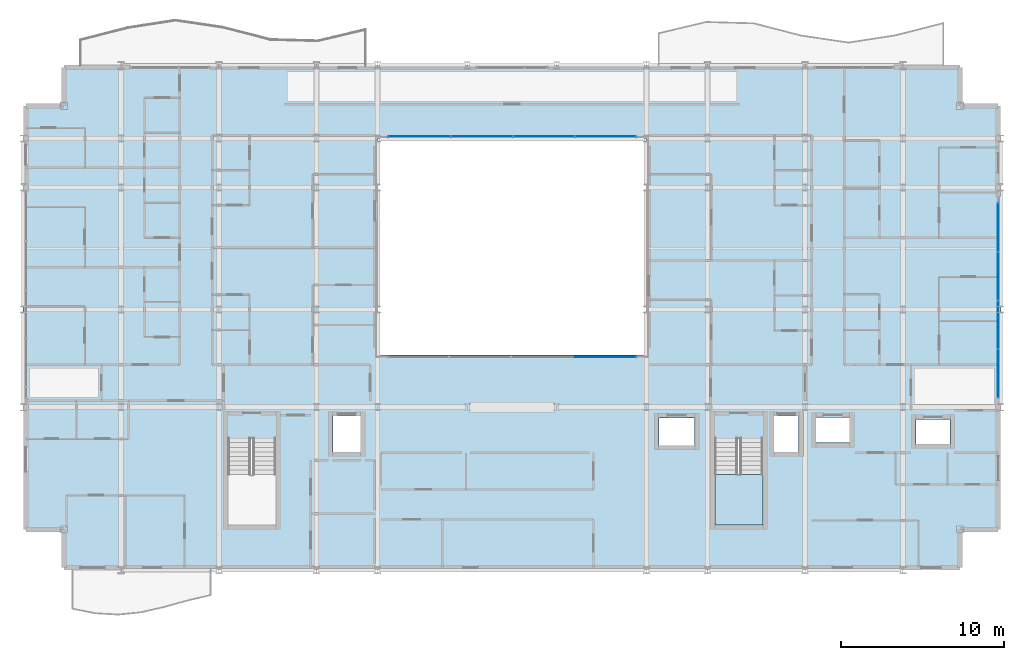
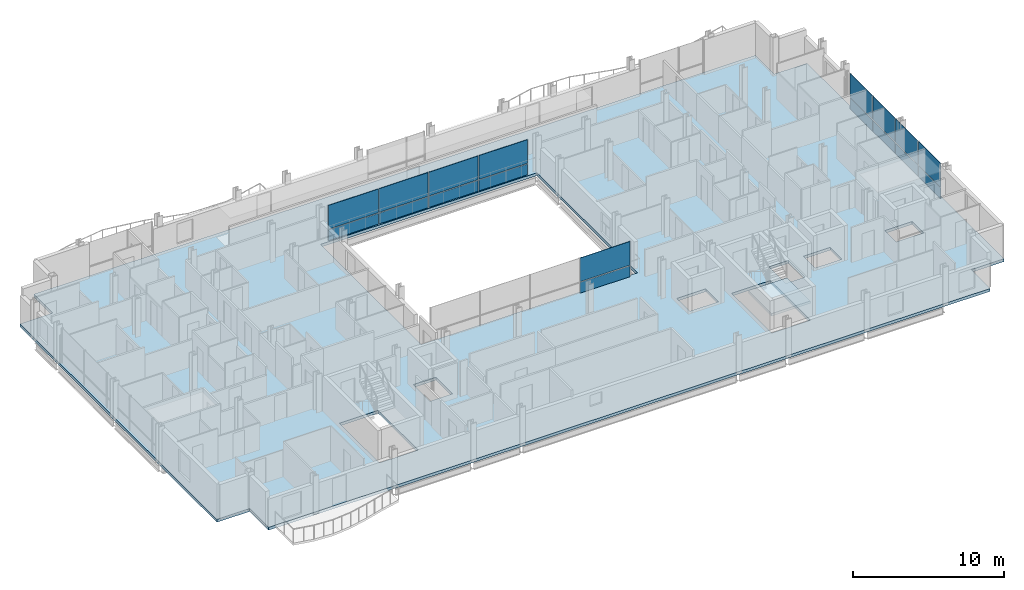
# One storey, part 27 of 41: 18 plates, 2 slabs, 4 elements without a shape of their own.
"""IFC4 building model written with IfcOpenShell, lengths in metres."""

import ifcopenshell
import ifcopenshell.guid

model = None  # the IFC model being written
_history = None  # IfcOwnerHistory: only IFC2X3 demands one
_inside = {}  # id of a spatial element -> (the spatial element, [elements in it])
_under = {}  # id of a project, library or spatial element -> (it, [spatial elements below it])
_declared = {}  # id of a project -> (the project, [libraries it declares])
_typed = {}  # id of a type object -> (the type object, [elements of that type])
_made_of = {}  # id of a material, layer set ... -> (it, [elements and type objects made of it])


def new_model(schema):
    """Start an empty IFC model of exactly this schema.

    Asked for "IFC4X3", IfcOpenShell would pick the latest addendum, in which some entities
    have other attributes; the version numbers below select the first issue.
    IFC2X3 requires an IfcOwnerHistory on every rooted entity: one is made here for all.
    """
    global model, _history
    if schema == "IFC4X3":
        model = ifcopenshell.file(schema_version=(4, 3, 0, 0))
    else:
        model = ifcopenshell.file(schema=schema)
    _inside.clear()
    _under.clear()
    _declared.clear()
    _typed.clear()
    _made_of.clear()
    _history = None
    if model.schema == "IFC2X3":
        org = make("IfcOrganization", Name="unknown")
        user = make(
            "IfcPersonAndOrganization",
            ThePerson=make("IfcPerson", FamilyName="unknown"),
            TheOrganization=org,
        )
        app = make(
            "IfcApplication",
            ApplicationDeveloper=org,
            Version="unknown",
            ApplicationFullName="unknown",
            ApplicationIdentifier="unknown",
        )
        _history = make(
            "IfcOwnerHistory",
            OwningUser=user,
            OwningApplication=app,
            ChangeAction="ADDED",
            CreationDate=0,
        )
    return model


def make(cls, **values):
    """One entity of the class cls with the attributes given. An attribute that is None is left unset."""
    return model.create_entity(
        cls, **{name: value for name, value in values.items() if value is not None}
    )


def rooted(cls, **values):
    """An entity with a GlobalId (a new one), such as an element, a storey or a relation."""
    return make(cls, GlobalId=ifcopenshell.guid.new(), OwnerHistory=_history, **values)


def si_unit(unit_type, name, prefix=None):
    """IfcSIUnit, for example si_unit("LENGTHUNIT", "METRE", prefix="MILLI")."""
    return make("IfcSIUnit", UnitType=unit_type, Prefix=prefix, Name=name)


def assignment(units):
    """IfcUnitAssignment: the units of a project."""
    return None if units is None else make("IfcUnitAssignment", Units=units)


def point(xyz):
    """IfcCartesianPoint."""
    return None if xyz is None else make("IfcCartesianPoint", Coordinates=xyz)


def direction(xyz):
    """IfcDirection."""
    return None if xyz is None else make("IfcDirection", DirectionRatios=xyz)


def frame(location, z_axis=None, x_axis=None):
    """IfcAxis2Placement3D, a coordinate frame: its origin and axes. An axis left out is left unset."""
    return make(
        "IfcAxis2Placement3D",
        Location=point(location),
        Axis=direction(z_axis),
        RefDirection=direction(x_axis),
    )


def frame_2d(location, x_axis=None):
    """IfcAxis2Placement2D, a coordinate frame in the plane: its origin and x axis."""
    return make(
        "IfcAxis2Placement2D", Location=point(location), RefDirection=direction(x_axis)
    )


def origin():
    """The frame at (0, 0, 0) with its axes left unset."""
    return frame((0.0, 0.0, 0.0))


def origin_2d():
    """The frame at (0, 0) in the plane with its x axis left unset."""
    return frame_2d((0.0, 0.0))


def place(relative_to, where):
    """IfcLocalPlacement: puts the frame where relative to a parent placement (None: the world)."""
    return make(
        "IfcLocalPlacement", PlacementRelTo=relative_to, RelativePlacement=where
    )


def context(
    kind, dimensions, precision=None, world=None, true_north=None, identifier=None
):
    """IfcGeometricRepresentationContext, for example the 3D "Model" context."""
    return make(
        "IfcGeometricRepresentationContext",
        ContextIdentifier=identifier,
        ContextType=kind,
        CoordinateSpaceDimension=dimensions,
        Precision=precision,
        WorldCoordinateSystem=world,
        TrueNorth=true_north,
    )


def subcontext(parent, identifier, kind, view, scale=None):
    """IfcGeometricRepresentationSubContext, for example "Body" below "Model"."""
    return make(
        "IfcGeometricRepresentationSubContext",
        ContextIdentifier=identifier,
        ContextType=kind,
        ParentContext=parent,
        TargetScale=scale,
        TargetView=view,
    )


def project(units=None, contexts=None):
    """IfcProject with its units and contexts."""
    return rooted(
        "IfcProject",
        Name="project",
        RepresentationContexts=contexts,
        UnitsInContext=assignment(units),
    )


def spatial(cls, under=None, at=None, **own):
    """A site, building, storey or space (cls), placed at a placement, below another one or the project."""
    s = rooted(cls, ObjectPlacement=at, **own)
    if under is not None:
        _under.setdefault(under.id(), (under, []))[1].append(s)
    return s


def polyline(points):
    """IfcPolyline through the points."""
    return make("IfcPolyline", Points=[point(p) for p in points])


def profile(cls, at=None, kind="AREA", **sizes):
    """A parametric profile (cls). Its sizes go by their IFC names, for example OverallWidth=200.0."""
    return make(cls, ProfileType=kind, Position=at, **sizes)


def rectangle(**sizes):
    """IfcRectangleProfileDef."""
    return profile("IfcRectangleProfileDef", **sizes)


def outline(outer, holes=None, kind="AREA"):
    """IfcArbitraryClosedProfileDef: a profile drawn as a closed curve; with holes, ...WithVoids."""
    if holes is None:
        return make("IfcArbitraryClosedProfileDef", ProfileType=kind, OuterCurve=outer)
    return make(
        "IfcArbitraryProfileDefWithVoids",
        ProfileType=kind,
        OuterCurve=outer,
        InnerCurves=holes,
    )


def extrude(swept, where, along, depth):
    """IfcExtrudedAreaSolid: the profile swept, set in the frame where, extruded along a direction by depth."""
    return make(
        "IfcExtrudedAreaSolid",
        SweptArea=swept,
        Position=where,
        ExtrudedDirection=direction(along),
        Depth=depth,
    )


def shape(context_of_items, identifier, shape_type, items):
    """IfcShapeRepresentation: the items that make up one representation, for example the "Body"."""
    return make(
        "IfcShapeRepresentation",
        ContextOfItems=context_of_items,
        RepresentationIdentifier=identifier,
        RepresentationType=shape_type,
        Items=items,
    )


def material(Name=None, Category=None):
    """IfcMaterial."""
    return make("IfcMaterial", Name=Name, Category=Category)


def layer(
    of_material, thickness, ventilated=None, Name=None, Category=None, Priority=None
):
    """IfcMaterialLayer: one layer of a wall or slab, of a material (None: an air gap)."""
    return make(
        "IfcMaterialLayer",
        Material=of_material,
        LayerThickness=thickness,
        IsVentilated=ventilated,
        Name=Name,
        Category=Category,
        Priority=Priority,
    )


def layer_set(layers, Name=None):
    """IfcMaterialLayerSet."""
    return make("IfcMaterialLayerSet", MaterialLayers=layers, LayerSetName=Name)


def made_of(thing, what):
    """Note that an element or type object is made of a material, layer set ...; save() writes the relation."""
    if what is not None:
        _made_of.setdefault(what.id(), (what, []))[1].append(thing)
    return thing


def type_object(cls, material=None, **own):
    """A type object (cls), such as IfcWallType, which elements share."""
    return made_of(rooted(cls, **own), material)


def element(
    cls,
    number,
    at=None,
    inside=None,
    cuts=None,
    type_object=None,
    material=None,
    context=None,
    identifier="Body",
    shape_type=None,
    held_by="IfcProductDefinitionShape",
    body=None,
    shapes=None,
    **own,
):
    """One element of the class cls, such as IfcWall. Its Tag is "e" and its number.

    at: its placement. inside: the storey or other place that contains it. cuts: it is an
    opening in that element (IfcRelVoidsElement). A single representation is given by context,
    identifier, shape_type and body (its items); several are given by shapes. held_by: the class
    of the entity that holds the representations. save() writes the other relations.
    """
    e = rooted(cls, Tag="e%d" % number, ObjectPlacement=at, **own)
    if body is not None:
        shapes = [shape(context, identifier, shape_type, body)]
    if shapes is not None:
        e.Representation = make(held_by, Representations=shapes)
    if inside is not None:
        _inside.setdefault(inside.id(), (inside, []))[1].append(e)
    if cuts is not None:
        rooted(
            "IfcRelVoidsElement", RelatingBuildingElement=cuts, RelatedOpeningElement=e
        )
    if type_object is not None:
        _typed.setdefault(type_object.id(), (type_object, []))[1].append(e)
    return made_of(e, material)


def aggregate(whole, parts):
    """IfcRelAggregates: a whole, such as a stair, and the parts it consists of."""
    return rooted("IfcRelAggregates", RelatingObject=whole, RelatedObjects=parts)


def save(model, path):
    """Write the relations noted so far, then the file.

    IfcRelAggregates (storeys below a building ...), IfcRelContainedInSpatialStructure (elements
    in a storey), IfcRelDefinesByType, IfcRelAssociatesMaterial and IfcRelDeclares: one each for
    every whole, place, type object, material and project.
    """
    for whole, parts in _under.values():
        aggregate(whole, parts)
    for where, things in _inside.values():
        rooted(
            "IfcRelContainedInSpatialStructure",
            RelatedElements=things,
            RelatingStructure=where,
        )
    for kind, things in _typed.values():
        rooted("IfcRelDefinesByType", RelatedObjects=things, RelatingType=kind)
    for what, things in _made_of.values():
        rooted("IfcRelAssociatesMaterial", RelatedObjects=things, RelatingMaterial=what)
    for by, libraries in _declared.values():
        rooted("IfcRelDeclares", RelatingContext=by, RelatedDefinitions=libraries)
    model.write(path)


model = new_model("IFC4")

# Units and contexts
model_context = context("Model", 3, precision=1e-05, world=origin(), true_north=direction((0.0, 1.0)))
body_context = subcontext(model_context, "Body", "Model", "MODEL_VIEW")
ifc_project = project(units=[si_unit("LENGTHUNIT", "METRE"), si_unit("AREAUNIT", "SQUARE_METRE"), si_unit("VOLUMEUNIT", "CUBIC_METRE"), si_unit("PLANEANGLEUNIT", "RADIAN"), si_unit("MASSUNIT", "GRAM", prefix="KILO")], contexts=[model_context])

# Site, building, storey
site_placement = place(None, origin())
site = spatial("IfcSite", under=ifc_project, at=site_placement, CompositionType="ELEMENT")
building_placement = place(site_placement, origin())
building = spatial("IfcBuilding", under=site, at=building_placement, Name="Brevholm Reach", CompositionType="ELEMENT")
storey_placement = place(building_placement, frame((0.0, 0.0, 93.10009765625)))
storey = spatial("IfcBuildingStorey", under=building, at=storey_placement, Name="L27", CompositionType="ELEMENT", Elevation=93.10009765625)

# Curtain wall, plates
ifc_material_1 = material(Name="Dark Anodised Aluminium 6063-T6 and Solar-Control Glass", Category="aluminium")
ifc_layer_1 = layer(ifc_material_1, 0.14990234375)
ifc_layer_set_1 = layer_set([ifc_layer_1], Name="Dark Anodised Aluminium 6063-T6 and Solar-Control Glass")
curtain_wall_type_1 = type_object("IfcCurtainWallType", Name="CW-01", PredefinedType="NOTDEFINED", material=ifc_layer_set_1)
curtain_wall_1_placement = place(storey_placement, origin())
curtain_wall_1 = element("IfcCurtainWall", 1, at=curtain_wall_1_placement, inside=storey, type_object=curtain_wall_type_1, Name="L27 Curtain Wall CW-01", PredefinedType="NOTDEFINED")
ifc_material_2 = material(Name="Dark Solar-Control Double-Glazed IGU Glass", Category="glass")
ifc_layer_2 = layer(ifc_material_2, 0.028076171875)
ifc_layer_set_2 = layer_set([ifc_layer_2], Name="Dark Solar-Control Double-Glazed IGU Glass")
plate_type_1 = type_object("IfcPlateType", Name="CWP-GLZ-28", PredefinedType="CURTAIN_PANEL", material=ifc_layer_set_2)
plate_1_placement = place(storey_placement, frame((59.85009765625, 12.066162109375, 0.0), z_axis=(0.0, 0.0, 1.0), x_axis=(0.0, 1.0, 0.0)))
plate_1 = element("IfcPlate", 2, at=plate_1_placement, type_object=plate_type_1, Name="CP-01 Glazing Panel 1.1", PredefinedType="CURTAIN_PANEL", context=body_context, shape_type="SweptSolid", body=[
    extrude(rectangle(XDim=2.902587890625, YDim=0.028076171875, at=origin_2d()), origin(), (0.0, 0.0, 1.0), 0.867431640625),
])
plate_2_placement = place(storey_placement, frame((59.85009765625, 12.066162109375, 0.9326171875), z_axis=(0.0, 0.0, 1.0), x_axis=(0.0, 1.0, 0.0)))
plate_2 = element("IfcPlate", 3, at=plate_2_placement, type_object=plate_type_1, Name="CP-01 Glazing Panel 1.2", PredefinedType="CURTAIN_PANEL", context=body_context, shape_type="SweptSolid", body=[
    extrude(rectangle(XDim=2.902587890625, YDim=0.028076171875, at=origin_2d()), origin(), (0.0, 0.0, 1.0), 1.907470703125),
])
plate_3_placement = place(storey_placement, frame((59.85009765625, 15.050048828125, 0.0), z_axis=(0.0, 0.0, 1.0), x_axis=(0.0, 1.0, 0.0)))
plate_3 = element("IfcPlate", 4, at=plate_3_placement, type_object=plate_type_1, Name="CP-01 Glazing Panel 2.1", PredefinedType="CURTAIN_PANEL", context=body_context, shape_type="SweptSolid", body=[
    extrude(rectangle(XDim=2.93505859375, YDim=0.028076171875, at=origin_2d()), origin(), (0.0, 0.0, 1.0), 0.867431640625),
])
plate_4_placement = place(storey_placement, frame((59.85009765625, 15.050048828125, 0.9326171875), z_axis=(0.0, 0.0, 1.0), x_axis=(0.0, 1.0, 0.0)))
plate_4 = element("IfcPlate", 5, at=plate_4_placement, type_object=plate_type_1, Name="CP-01 Glazing Panel 2.2", PredefinedType="CURTAIN_PANEL", context=body_context, shape_type="SweptSolid", body=[
    extrude(rectangle(XDim=2.93505859375, YDim=0.028076171875, at=origin_2d()), origin(), (0.0, 0.0, 1.0), 1.907470703125),
])
plate_5_placement = place(storey_placement, frame((59.85009765625, 18.050048828125, 0.0), z_axis=(0.0, 0.0, 1.0), x_axis=(0.0, 1.0, 0.0)))
plate_5 = element("IfcPlate", 6, at=plate_5_placement, type_object=plate_type_1, Name="CP-01 Glazing Panel 3.1", PredefinedType="CURTAIN_PANEL", context=body_context, shape_type="SweptSolid", body=[
    extrude(rectangle(XDim=2.93505859375, YDim=0.028076171875, at=origin_2d()), origin(), (0.0, 0.0, 1.0), 0.867431640625),
])
plate_6_placement = place(storey_placement, frame((59.85009765625, 18.050048828125, 0.9326171875), z_axis=(0.0, 0.0, 1.0), x_axis=(0.0, 1.0, 0.0)))
plate_6 = element("IfcPlate", 7, at=plate_6_placement, type_object=plate_type_1, Name="CP-01 Glazing Panel 3.2", PredefinedType="CURTAIN_PANEL", context=body_context, shape_type="SweptSolid", body=[
    extrude(rectangle(XDim=2.93505859375, YDim=0.028076171875, at=origin_2d()), origin(), (0.0, 0.0, 1.0), 1.907470703125),
])
plate_7_placement = place(storey_placement, frame((59.85009765625, 21.050048828125, 0.0), z_axis=(0.0, 0.0, 1.0), x_axis=(0.0, 1.0, 0.0)))
plate_7 = element("IfcPlate", 8, at=plate_7_placement, type_object=plate_type_1, Name="CP-01 Glazing Panel 4.1", PredefinedType="CURTAIN_PANEL", context=body_context, shape_type="SweptSolid", body=[
    extrude(rectangle(XDim=2.93505859375, YDim=0.028076171875, at=origin_2d()), origin(), (0.0, 0.0, 1.0), 0.867431640625),
])
plate_8_placement = place(storey_placement, frame((59.85009765625, 21.050048828125, 0.9326171875), z_axis=(0.0, 0.0, 1.0), x_axis=(0.0, 1.0, 0.0)))
plate_8 = element("IfcPlate", 9, at=plate_8_placement, type_object=plate_type_1, Name="CP-01 Glazing Panel 4.2", PredefinedType="CURTAIN_PANEL", context=body_context, shape_type="SweptSolid", body=[
    extrude(rectangle(XDim=2.93505859375, YDim=0.028076171875, at=origin_2d()), origin(), (0.0, 0.0, 1.0), 1.907470703125),
])
aggregate(curtain_wall_1, [plate_1, plate_2, plate_3, plate_4, plate_5, plate_6, plate_7, plate_8])

ifc_material_3 = material(Name="Dark Anodised Aluminium 6063-T6 and Solar-Control Glass", Category="aluminium")
ifc_layer_3 = layer(ifc_material_3, 0.139892578125)
ifc_layer_set_3 = layer_set([ifc_layer_3], Name="Dark Anodised Aluminium 6063-T6 and Solar-Control Glass")
curtain_wall_type_2 = type_object("IfcCurtainWallType", Name="CW-02", PredefinedType="NOTDEFINED", material=ifc_layer_set_3)
curtain_wall_2_placement = place(storey_placement, origin())
curtain_wall_2 = element("IfcCurtainWall", 10, at=curtain_wall_2_placement, inside=storey, type_object=curtain_wall_type_2, Name="L27 Curtain Wall CW-02", PredefinedType="NOTDEFINED")
ifc_material_4 = material(Name="Low-Iron Laminated Acoustic Glass", Category="glass")
ifc_layer_4 = layer(ifc_material_4, 0.035888671875)
ifc_layer_set_4 = layer_set([ifc_layer_4], Name="Low-Iron Laminated Acoustic Glass")
plate_type_2 = type_object("IfcPlateType", Name="CWP-GLZ-36", PredefinedType="CURTAIN_PANEL", material=ifc_layer_set_4)
plate_9_placement = place(storey_placement, frame((35.68505859375, 13.080078125, -0.000244140625), z_axis=(0.0, 0.0, 1.0), x_axis=(1.0, 0.0, 0.0)))
plate_9 = element("IfcPlate", 11, at=plate_9_placement, type_object=plate_type_2, Name="CP-02 Glazing Panel 4.1", PredefinedType="CURTAIN_PANEL", context=body_context, shape_type="SweptSolid", body=[
    extrude(rectangle(XDim=3.81005859375, YDim=0.035888671875, at=origin_2d()), origin(), (0.0, 0.0, 1.0), 0.8701171875),
])
plate_10_placement = place(storey_placement, frame((35.68505859375, 13.080078125, 0.93017578125), z_axis=(0.0, 0.0, 1.0), x_axis=(1.0, 0.0, 0.0)))
plate_10 = element("IfcPlate", 12, at=plate_10_placement, type_object=plate_type_2, Name="CP-02 Glazing Panel 4.2", PredefinedType="CURTAIN_PANEL", context=body_context, shape_type="SweptSolid", body=[
    extrude(rectangle(XDim=3.81005859375, YDim=0.035888671875, at=origin_2d()), origin(), (0.0, 0.0, 1.0), 1.909912109375),
])
aggregate(curtain_wall_2, [plate_9, plate_10])

curtain_wall_3_placement = place(storey_placement, origin())
curtain_wall_3 = element("IfcCurtainWall", 13, at=curtain_wall_3_placement, inside=storey, type_object=curtain_wall_type_2, Name="L27 Curtain Wall CW-02", PredefinedType="NOTDEFINED")
plate_11_placement = place(storey_placement, frame((35.735107421875, 26.6201171875, -0.000244140625), z_axis=(0.0, 0.0, 1.0), x_axis=(-1.0, 0.0, 0.0)))
plate_11 = element("IfcPlate", 14, at=plate_11_placement, type_object=plate_type_2, Name="CP-02 Glazing Panel 1.1", PredefinedType="CURTAIN_PANEL", context=body_context, shape_type="SweptSolid", body=[
    extrude(rectangle(XDim=3.7099609375, YDim=0.035888671875, at=origin_2d()), origin(), (0.0, 0.0, 1.0), 0.8701171875),
])
plate_12_placement = place(storey_placement, frame((35.735107421875, 26.6201171875, 0.93017578125), z_axis=(0.0, 0.0, 1.0), x_axis=(-1.0, 0.0, 0.0)))
plate_12 = element("IfcPlate", 15, at=plate_12_placement, type_object=plate_type_2, Name="CP-02 Glazing Panel 1.2", PredefinedType="CURTAIN_PANEL", context=body_context, shape_type="SweptSolid", body=[
    extrude(rectangle(XDim=3.7099609375, YDim=0.035888671875, at=origin_2d()), origin(), (0.0, 0.0, 1.0), 1.909912109375),
])
plate_13_placement = place(storey_placement, frame((31.949951171875, 26.6201171875, -0.000244140625), z_axis=(0.0, 0.0, 1.0), x_axis=(-1.0, 0.0, 0.0)))
plate_13 = element("IfcPlate", 16, at=plate_13_placement, type_object=plate_type_2, Name="CP-02 Glazing Panel 2.1", PredefinedType="CURTAIN_PANEL", context=body_context, shape_type="SweptSolid", body=[
    extrude(rectangle(XDim=3.739990234375, YDim=0.035888671875, at=origin_2d()), origin(), (0.0, 0.0, 1.0), 0.8701171875),
])
plate_14_placement = place(storey_placement, frame((31.949951171875, 26.6201171875, 0.93017578125), z_axis=(0.0, 0.0, 1.0), x_axis=(-1.0, 0.0, 0.0)))
plate_14 = element("IfcPlate", 17, at=plate_14_placement, type_object=plate_type_2, Name="CP-02 Glazing Panel 2.2", PredefinedType="CURTAIN_PANEL", context=body_context, shape_type="SweptSolid", body=[
    extrude(rectangle(XDim=3.739990234375, YDim=0.035888671875, at=origin_2d()), origin(), (0.0, 0.0, 1.0), 1.909912109375),
])
plate_15_placement = place(storey_placement, frame((28.14990234375, 26.6201171875, -0.000244140625), z_axis=(0.0, 0.0, 1.0), x_axis=(-1.0, 0.0, 0.0)))
plate_15 = element("IfcPlate", 18, at=plate_15_placement, type_object=plate_type_2, Name="CP-02 Glazing Panel 3.1", PredefinedType="CURTAIN_PANEL", context=body_context, shape_type="SweptSolid", body=[
    extrude(rectangle(XDim=3.739990234375, YDim=0.035888671875, at=origin_2d()), origin(), (0.0, 0.0, 1.0), 0.8701171875),
])
plate_16_placement = place(storey_placement, frame((28.14990234375, 26.6201171875, 0.93017578125), z_axis=(0.0, 0.0, 1.0), x_axis=(-1.0, 0.0, 0.0)))
plate_16 = element("IfcPlate", 19, at=plate_16_placement, type_object=plate_type_2, Name="CP-02 Glazing Panel 3.2", PredefinedType="CURTAIN_PANEL", context=body_context, shape_type="SweptSolid", body=[
    extrude(rectangle(XDim=3.739990234375, YDim=0.035888671875, at=origin_2d()), origin(), (0.0, 0.0, 1.0), 1.909912109375),
])
plate_17_placement = place(storey_placement, frame((24.31494140625, 26.6201171875, -0.000244140625), z_axis=(0.0, 0.0, 1.0), x_axis=(-1.0, 0.0, 0.0)))
plate_17 = element("IfcPlate", 20, at=plate_17_placement, type_object=plate_type_2, Name="CP-02 Glazing Panel 4.1", PredefinedType="CURTAIN_PANEL", context=body_context, shape_type="SweptSolid", body=[
    extrude(rectangle(XDim=3.81005859375, YDim=0.035888671875, at=origin_2d()), origin(), (0.0, 0.0, 1.0), 0.8701171875),
])
plate_18_placement = place(storey_placement, frame((24.31494140625, 26.6201171875, 0.93017578125), z_axis=(0.0, 0.0, 1.0), x_axis=(-1.0, 0.0, 0.0)))
plate_18 = element("IfcPlate", 21, at=plate_18_placement, type_object=plate_type_2, Name="CP-02 Glazing Panel 4.2", PredefinedType="CURTAIN_PANEL", context=body_context, shape_type="SweptSolid", body=[
    extrude(rectangle(XDim=3.81005859375, YDim=0.035888671875, at=origin_2d()), origin(), (0.0, 0.0, 1.0), 1.909912109375),
])
aggregate(curtain_wall_3, [plate_11, plate_12, plate_13, plate_14, plate_15, plate_16, plate_17, plate_18])

# Slab
ifc_material_5 = material(Name="Concrete C40/50", Category="concrete")
ifc_layer_5 = layer(ifc_material_5, 0.22998046875)
ifc_layer_set_5 = layer_set([ifc_layer_5], Name="Concrete C40/50")
slab_type_1 = type_object("IfcSlabType", Name="SLB-FL-230", PredefinedType="FLOOR", material=ifc_layer_set_5)
slab_1_placement = place(storey_placement, frame((0.0, 0.0, -0.22998046875)))
element("IfcSlab", 22, at=slab_1_placement, inside=storey, type_object=slab_type_1, Name="L27 Suspended Floor Slab (main)", PredefinedType="FLOOR", context=body_context, shape_type="SweptSolid", body=[
    extrude(outline(polyline([(2.5, 0.0), (57.5, 0.0), (57.5, 2.5), (60.0, 2.5), (60.0, 28.5), (57.5, 28.5), (57.5, 31.0), (2.5, 31.0), (2.5, 28.5), (0.0, 28.5), (0.0, 2.5), (2.5, 2.5), (2.5, 0.0)]), holes=[polyline([(21.75, 13.199951171875), (38.25, 13.199951171875), (38.25, 26.5), (21.75, 26.5), (21.75, 13.199951171875)]), polyline([(12.550048828125, 2.780029296875), (15.5, 2.780029296875), (15.5, 8.044921875), (12.550048828125, 8.044921875), (12.550048828125, 2.780029296875)]), polyline([(42.449951171875, 2.780029296875), (45.39990234375, 2.780029296875), (45.39990234375, 8.044921875), (42.449951171875, 8.044921875), (42.449951171875, 2.780029296875)]), polyline([(19.0, 7.25), (20.699951171875, 7.25), (20.699951171875, 9.449951171875), (19.0, 9.449951171875), (19.0, 7.25)]), polyline([(46.10009765625, 7.25), (47.60009765625, 7.25), (47.60009765625, 9.449951171875), (46.10009765625, 9.449951171875), (46.10009765625, 7.25)]), polyline([(48.675048828125, 7.824951171875), (50.72509765625, 7.824951171875), (50.72509765625, 9.375), (48.675048828125, 9.375), (48.675048828125, 7.824951171875)]), polyline([(54.800048828125, 7.75), (56.89990234375, 7.75), (56.89990234375, 9.25), (54.800048828125, 9.25), (54.800048828125, 7.75)]), polyline([(39.02001953125, 7.64990234375), (41.219970703125, 7.64990234375), (41.219970703125, 9.35009765625), (39.02001953125, 9.35009765625), (39.02001953125, 7.64990234375)])]), origin(), (0.0, 0.0, 1.0), 0.22998046875),
])

# Stair, slab
ifc_material_6 = material(Name="Precast Concrete C40/50", Category="concrete")
stair_type = type_object("IfcStairType", Name="STR-ESC-1400", PredefinedType="DOUBLE_RETURN_STAIR", material=ifc_material_6)
stair_placement = place(storey_placement, origin())
stair = element("IfcStair", 23, at=stair_placement, inside=storey, type_object=stair_type, Name="L27 ST-2", PredefinedType="DOUBLE_RETURN_STAIR")
ifc_material_7 = material(Name="Concrete C40/50", Category="concrete")
ifc_layer_6 = layer(ifc_material_7, 0.199951171875)
ifc_layer_set_6 = layer_set([ifc_layer_6], Name="Concrete C40/50")
slab_type_2 = type_object("IfcSlabType", Name="SLB-LND-200", PredefinedType="LANDING", material=ifc_layer_set_6)
slab_2_placement = place(storey_placement, frame((0.0, 0.0, 1.349853515625)))
slab_2 = element("IfcSlab", 24, at=slab_2_placement, type_object=slab_type_2, Name="ST-2 landing 1", PredefinedType="LANDING", context=body_context, shape_type="SweptSolid", body=[
    extrude(outline(polyline([(42.449951171875, 5.860107421875), (42.449951171875, 2.780029296875), (45.39990234375, 2.780029296875), (45.39990234375, 5.860107421875), (42.449951171875, 5.860107421875)])), origin(), (0.0, 0.0, 1.0), 0.199951171875),
])
aggregate(stair, [slab_2])

save(model, "model.ifc")
